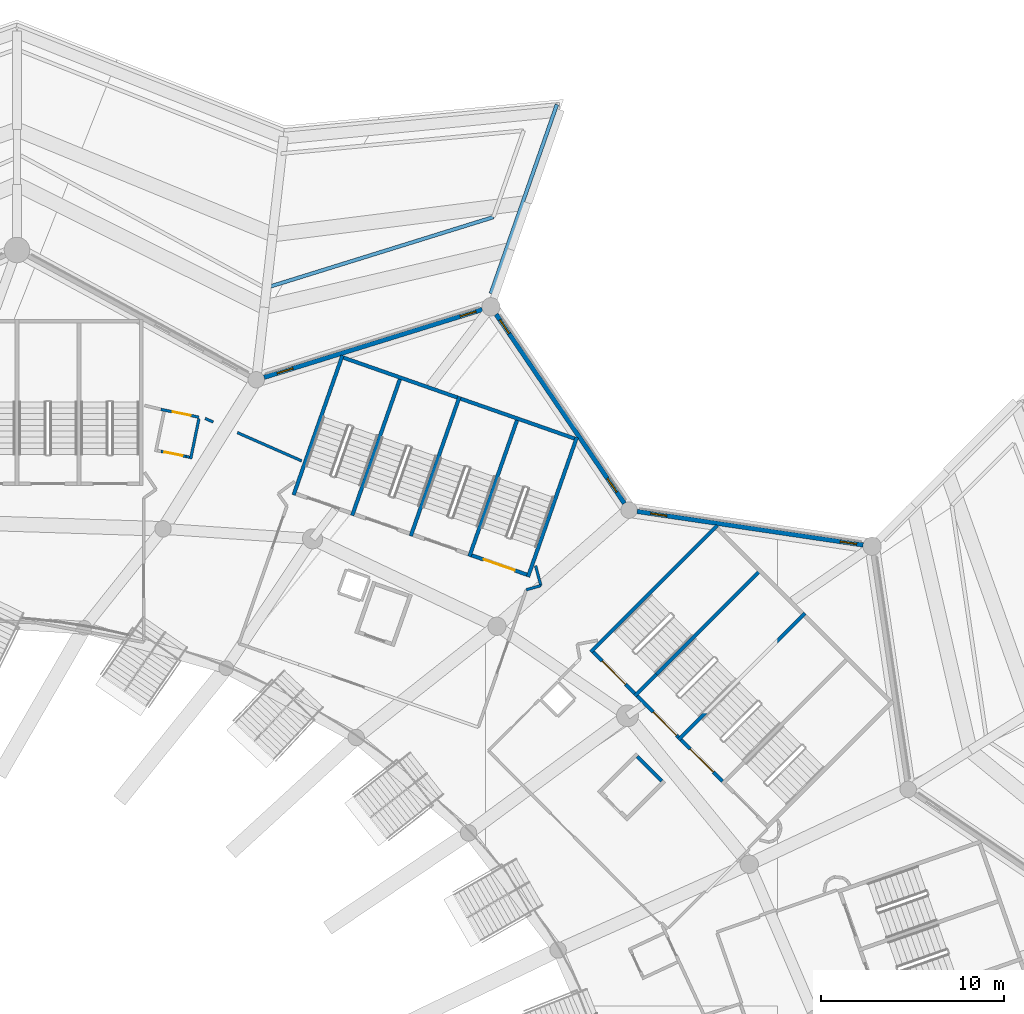
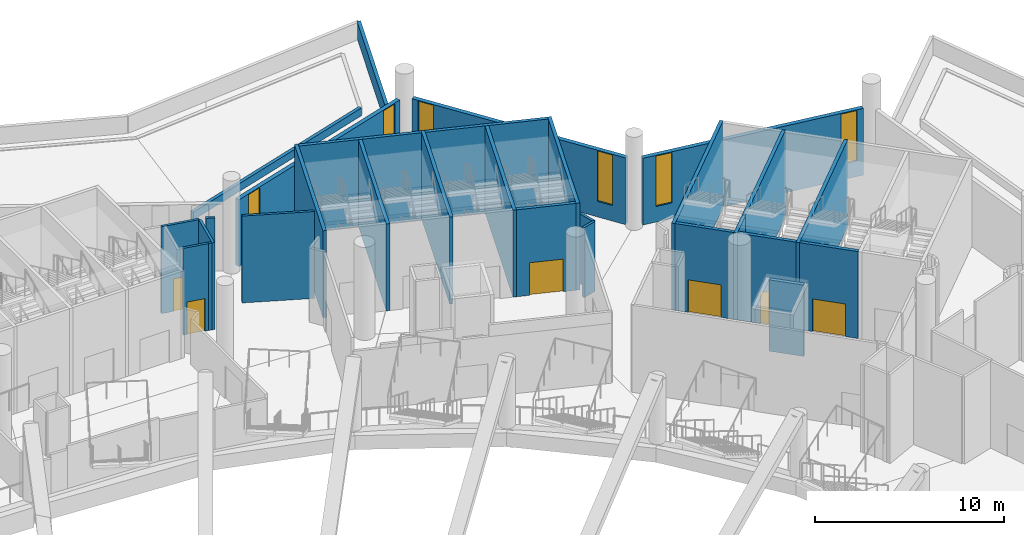
# One storey, part 77 of 173: 29 walls, 6 doors, 6 windows, 12 openings.
"""IFC4 building model written with IfcOpenShell, lengths in metres."""

from ifc_helpers import new_model, si_unit, direction, frame, frame_2d, origin, place, context, subcontext, project, spatial, rectangle, extrude, material, layer, layer_set, type_object, element, fill, save


model = new_model("IFC4")

# Units and contexts
model_context = context("Model", 3, precision=1e-05, world=origin(), true_north=direction((0.0, 1.0)))
body_context = subcontext(model_context, "Body", "Model", "MODEL_VIEW")
ifc_project = project(units=[si_unit("LENGTHUNIT", "METRE"), si_unit("AREAUNIT", "SQUARE_METRE"), si_unit("VOLUMEUNIT", "CUBIC_METRE"), si_unit("PLANEANGLEUNIT", "RADIAN"), si_unit("MASSUNIT", "GRAM", prefix="KILO")], contexts=[model_context])

# Site, building, storey
site_placement = place(None, origin())
site = spatial("IfcSite", under=ifc_project, at=site_placement, CompositionType="ELEMENT")
building_placement = place(site_placement, origin())
building = spatial("IfcBuilding", under=site, at=building_placement, Name="Meseta Stadium", CompositionType="ELEMENT")
storey_placement = place(building_placement, frame((0.0, 0.0, 18.0)))
storey = spatial("IfcBuildingStorey", under=building, at=storey_placement, Name="L03", CompositionType="ELEMENT", Elevation=18.0)

# Walls
ifc_material_1 = material(Name="Concrete C40/50", Category="concrete")
ifc_layer_1 = layer(ifc_material_1, 0.199951171875)
ifc_layer_set_1 = layer_set([ifc_layer_1], Name="Core divider wall 200")
wall_type_1 = type_object("IfcWallType", Name="Core divider wall 200", PredefinedType="SHEAR", material=ifc_layer_set_1)
wall_1_placement = place(storey_placement, frame((79.092529296875, 87.90087890625, 0.0), z_axis=(0.0, 0.0, 1.0), x_axis=(-0.707106781187, -0.707106781187, 0.0)))
element("IfcWall", 1, at=wall_1_placement, inside=storey, type_object=wall_type_1, Name="Core 07 L03 stair B divider wall", PredefinedType="SHEAR", context=body_context, shape_type="SweptSolid", body=[
    extrude(rectangle(XDim=8.099853515625, YDim=0.199951171875, at=frame_2d((4.0498046875, 0.0))), origin(), (0.0, 0.0, 1.0), 5.60009765625),
])
wall_2_placement = place(storey_placement, frame((73.364990234375, 82.17333984375, 0.0), z_axis=(0.0, 0.0, 1.0), x_axis=(-0.707034968179, -0.707178586901, 0.0)))
element("IfcWall", 2, at=wall_2_placement, inside=storey, type_object=wall_type_1, Name="Core 07 L03 stair B divider wall", PredefinedType="SHEAR", context=body_context, shape_type="SweptSolid", body=[
    extrude(rectangle(XDim=1.699951171875, YDim=0.199951171875, at=frame_2d((0.85009765625, 0.0))), origin(), (0.0, 0.0, 1.0), 5.60009765625),
])
for number, where, z_axis, x_axis, name in (
    (3, (65.789306640625, 96.260009765625, 0.0), (0.0, 0.0, 1.0), (-0.330280610426, -0.943882788474, 0.0), "Core 08 L03 stair A divider wall"),
    (4, (59.370849609375, 98.505859375, 0.0), (0.0, 0.0, 1.0), (-0.330280610426, -0.943882788474, 0.0), "Core 08 L03 stair B divider wall"),
):
    element("IfcWall", number, at=place(storey_placement, frame(where, z_axis=z_axis, x_axis=x_axis)), inside=storey, type_object=wall_type_1, Name=name, PredefinedType="SHEAR", context=body_context, shape_type="SweptSolid", body=[
        extrude(rectangle(XDim=8.10009765625, YDim=0.199951171875, at=frame_2d((4.050048828125, 0.0))), origin(), (0.0, 0.0, 1.0), 5.60009765625),
    ])
ifc_material_2 = material(Name="Concrete C40/50", Category="concrete")
ifc_layer_2 = layer(ifc_material_2, 0.199951171875)
ifc_layer_set_2 = layer_set([ifc_layer_2], Name="Core shaft wall 200")
wall_type_2 = type_object("IfcWallType", Name="Core shaft wall 200", PredefinedType="SHEAR", material=ifc_layer_set_2)
for number, where, z_axis, x_axis, name in (
    (5, (81.496826171875, 85.496826171875, 0.0), (0.0, 0.0, 1.0), (-0.707106781187, -0.707106781187, 0.0), "Core 07 L03 stair wall shared"),
    (6, (76.6884765625, 90.30517578125, 0.0), (0.0, 0.0, 1.0), (-0.707106781187, -0.707106781187, 0.0), "Core 07 L03 stair wall B-side"),
):
    element("IfcWall", number, at=place(storey_placement, frame(where, z_axis=z_axis, x_axis=x_axis)), inside=storey, type_object=wall_type_2, Name=name, PredefinedType="SHEAR", context=body_context, shape_type="SweptSolid", body=[
        extrude(rectangle(XDim=9.800048828125, YDim=0.199951171875, at=frame_2d((4.89990234375, 0.0))), origin(), (0.0, 0.0, 1.0), 5.60009765625),
    ])

# Wall, opening, door
wall_3_placement = place(storey_placement, frame((76.97119140625, 76.304443359375, 0.0), z_axis=(0.0, 0.0, 1.0), x_axis=(-0.707106781187, 0.707106781187, 0.0)))
wall_3 = element("IfcWall", 7, at=wall_3_placement, inside=storey, type_object=wall_type_2, Name="Core 07 L03 stair A2 inner end wall", PredefinedType="SHEAR", context=body_context, shape_type="SweptSolid", body=[
    extrude(rectangle(XDim=3.199951171875, YDim=0.199951171875, at=frame_2d((1.60009765625, 0.0))), origin(), (0.0, 0.0, 1.0), 5.60009765625),
])
opening_1_placement = place(wall_3_placement, frame((0.699951171875, 0.0, 0.0)))
opening_1 = element("IfcOpeningElement", 8, at=opening_1_placement, cuts=wall_3, Name="Opening D1441", PredefinedType="OPENING", context=body_context, shape_type="SweptSolid", body=[
    extrude(rectangle(XDim=1.800048828125, YDim=2.10009765625, at=frame_2d((0.89990234375, 1.050048828125))), frame((0.0, 0.10986328125, 0.0), z_axis=(0.0, -1.0, 0.0), x_axis=(1.0, 0.0, 0.0)), (0.0, 0.0, 1.0), 0.219970703125),
])
ifc_material_3 = material(Name="Steel", Category="steel")
door_type_1 = type_object("IfcDoorType", Name="Stair door 1800x2100", OperationType="DOUBLE_DOOR_SINGLE_SWING", PredefinedType="DOOR", material=ifc_material_3)
door_1_placement = place(opening_1_placement, origin())
door_1 = element("IfcDoor", 9, at=door_1_placement, inside=storey, type_object=door_type_1, Name="Stair A2 door 07 L03", OperationType="DOUBLE_DOOR_SINGLE_SWING", OverallHeight=2.10009765625, OverallWidth=1.800048828125, PredefinedType="DOOR", context=body_context, shape_type="SweptSolid", body=[
    extrude(rectangle(XDim=1.800048828125, YDim=2.10009765625, at=frame_2d((0.89990234375, 1.050048828125))), frame((0.0, 0.02490234375, 0.0), z_axis=(0.0, -1.0, 0.0), x_axis=(1.0, 0.0, 0.0)), (0.0, 0.0, 1.0), 0.050048828125),
])
fill(opening_1, door_1)

wall_4_placement = place(storey_placement, frame((74.567138671875, 78.70849609375, 0.0), z_axis=(0.0, 0.0, 1.0), x_axis=(-0.707106781187, 0.707106781187, 0.0)))
wall_4 = element("IfcWall", 10, at=wall_4_placement, inside=storey, type_object=wall_type_2, Name="Core 07 L03 stair B1 inner end wall", PredefinedType="SHEAR", context=body_context, shape_type="SweptSolid", body=[
    extrude(rectangle(XDim=3.199951171875, YDim=0.199951171875, at=frame_2d((1.60009765625, 0.0))), origin(), (0.0, 0.0, 1.0), 5.60009765625),
])
opening_2_placement = place(wall_4_placement, frame((0.14990234375, 0.0, 0.0)))
opening_2 = element("IfcOpeningElement", 11, at=opening_2_placement, cuts=wall_4, Name="Opening D1437", PredefinedType="OPENING", context=body_context, shape_type="SweptSolid", body=[
    extrude(rectangle(XDim=1.800048828125, YDim=2.10009765625, at=frame_2d((0.89990234375, 1.050048828125))), frame((0.0, 0.10986328125, 0.0), z_axis=(0.0, -1.0, 0.0), x_axis=(1.0, 0.0, 0.0)), (0.0, 0.0, 1.0), 0.219970703125),
])
door_2_placement = place(opening_2_placement, origin())
door_2 = element("IfcDoor", 12, at=door_2_placement, inside=storey, type_object=door_type_1, Name="Stair B1 door 07 L03", OperationType="DOUBLE_DOOR_SINGLE_SWING", OverallHeight=2.10009765625, OverallWidth=1.800048828125, PredefinedType="DOOR", context=body_context, shape_type="SweptSolid", body=[
    extrude(rectangle(XDim=1.800048828125, YDim=2.10009765625, at=frame_2d((0.89990234375, 1.050048828125))), frame((0.0, 0.02490234375, 0.0), z_axis=(0.0, -1.0, 0.0), x_axis=(1.0, 0.0, 0.0)), (0.0, 0.0, 1.0), 0.050048828125),
])
fill(opening_2, door_2)

wall_5_placement = place(storey_placement, frame((72.1630859375, 81.11279296875, 0.0), z_axis=(0.0, 0.0, 1.0), x_axis=(-0.707144925854, 0.707068634461, 0.0)))
wall_5 = element("IfcWall", 13, at=wall_5_placement, inside=storey, type_object=wall_type_2, Name="Core 07 L03 stair B2 inner end wall", PredefinedType="SHEAR", context=body_context, shape_type="SweptSolid", body=[
    extrude(rectangle(XDim=3.2001953125, YDim=0.199951171875, at=frame_2d((1.60009765625, 0.0))), origin(), (0.0, 0.0, 1.0), 5.60009765625),
])
opening_3_placement = place(wall_5_placement, frame((0.699951171875, 0.0, 0.0)))
opening_3 = element("IfcOpeningElement", 14, at=opening_3_placement, cuts=wall_5, Name="Opening D1431", PredefinedType="OPENING", context=body_context, shape_type="SweptSolid", body=[
    extrude(rectangle(XDim=1.800048828125, YDim=2.10009765625, at=frame_2d((0.89990234375, 1.050048828125))), frame((0.0, 0.10986328125, 0.0), z_axis=(0.0, -1.0, 0.0), x_axis=(1.0, 0.0, 0.0)), (0.0, 0.0, 1.0), 0.219970703125),
])
door_3_placement = place(opening_3_placement, origin())
door_3 = element("IfcDoor", 15, at=door_3_placement, inside=storey, type_object=door_type_1, Name="Stair B2 door 07 L03", OperationType="DOUBLE_DOOR_SINGLE_SWING", OverallHeight=2.10009765625, OverallWidth=1.800048828125, PredefinedType="DOOR", context=body_context, shape_type="SweptSolid", body=[
    extrude(rectangle(XDim=1.800048828125, YDim=2.10009765625, at=frame_2d((0.89990234375, 1.050048828125))), frame((0.0, 0.02490234375, 0.0), z_axis=(0.0, -1.0, 0.0), x_axis=(1.0, 0.0, 0.0)), (0.0, 0.0, 1.0), 0.050048828125),
])
fill(opening_3, door_3)

# Walls
wall_6_placement = place(storey_placement, frame((73.655517578125, 76.311767578125, 0.0), z_axis=(0.0, 0.0, 1.0), x_axis=(-0.707106781187, 0.707106781187, 0.0)))
element("IfcWall", 16, at=wall_6_placement, inside=storey, type_object=wall_type_2, Name="Core 07 L03 lift shaft back wall", PredefinedType="SHEAR", context=body_context, shape_type="SweptSolid", body=[
    extrude(rectangle(XDim=1.900390625, YDim=0.199951171875, at=frame_2d((0.9501953125, 0.0))), origin(), (0.0, 0.0, 1.0), 4.60009765625),
])
for number, where, z_axis, x_axis, name in (
    (17, (68.998291015625, 95.136962890625, 0.0), (0.0, 0.0, 1.0), (-0.330263153216, -0.943888896866, 0.0), "Core 08 L03 stair wall A-side"),
    (18, (62.580078125, 97.3828125, 0.0), (0.0, 0.0, 1.0), (-0.330290006891, -0.943879500438, 0.0), "Core 08 L03 stair wall shared"),
):
    element("IfcWall", number, at=place(storey_placement, frame(where, z_axis=z_axis, x_axis=x_axis)), inside=storey, type_object=wall_type_2, Name=name, PredefinedType="SHEAR", context=body_context, shape_type="SweptSolid", body=[
        extrude(rectangle(XDim=8.099853515625, YDim=0.199951171875, at=frame_2d((4.0498046875, 0.0))), origin(), (0.0, 0.0, 1.0), 5.60009765625),
    ])
wall_7_placement = place(storey_placement, frame((56.16162109375, 99.62890625, 0.0), z_axis=(0.0, 0.0, 1.0), x_axis=(-0.330280610426, -0.943882788474, 0.0)))
element("IfcWall", 19, at=wall_7_placement, inside=storey, type_object=wall_type_2, Name="Core 08 L03 stair wall B-side", PredefinedType="SHEAR", context=body_context, shape_type="SweptSolid", body=[
    extrude(rectangle(XDim=8.10009765625, YDim=0.199951171875, at=frame_2d((4.050048828125, 0.0))), origin(), (0.0, 0.0, 1.0), 5.60009765625),
])
for number, where, z_axis, x_axis, name in (
    (20, (68.87109375, 95.07568359375, 0.0), (0.0, 0.0, 1.0), (-0.943880844925, 0.330286164688, 0.0), "Core 08 L03 stair A outer end wall"),
    (21, (62.45263671875, 97.321533203125, 0.0), (0.0, 0.0, 1.0), (-0.943880844925, 0.330286164688, 0.0), "Core 08 L03 stair B outer end wall"),
):
    element("IfcWall", number, at=place(storey_placement, frame(where, z_axis=z_axis, x_axis=x_axis)), inside=storey, type_object=wall_type_2, Name=name, PredefinedType="SHEAR", context=body_context, shape_type="SweptSolid", body=[
        extrude(rectangle(XDim=6.60009765625, YDim=0.199951171875, at=frame_2d((3.300048828125, 0.0))), origin(), (0.0, 0.0, 1.0), 5.60009765625),
    ])

# Wall, opening, door
wall_8_placement = place(storey_placement, frame((66.26171875, 87.618896484375, 0.0), z_axis=(0.0, 0.0, 1.0), x_axis=(-0.943878576031, 0.330292648585, 0.0)))
wall_8 = element("IfcWall", 22, at=wall_8_placement, inside=storey, type_object=wall_type_2, Name="Core 08 L03 stair A1 inner end wall", PredefinedType="SHEAR", context=body_context, shape_type="SweptSolid", body=[
    extrude(rectangle(XDim=3.199951171875, YDim=0.199951171875, at=frame_2d((1.60009765625, 0.0))), origin(), (0.0, 0.0, 1.0), 5.60009765625),
])
opening_4_placement = place(wall_8_placement, frame((0.699951171875, 0.0, 0.0)))
opening_4 = element("IfcOpeningElement", 23, at=opening_4_placement, cuts=wall_8, Name="Opening D1425", PredefinedType="OPENING", context=body_context, shape_type="SweptSolid", body=[
    extrude(rectangle(XDim=1.800048828125, YDim=2.10009765625, at=frame_2d((0.89990234375, 1.050048828125))), frame((0.0, 0.10986328125, 0.0), z_axis=(0.0, -1.0, 0.0), x_axis=(1.0, 0.0, 0.0)), (0.0, 0.0, 1.0), 0.219970703125),
])
door_4_placement = place(opening_4_placement, origin())
door_4 = element("IfcDoor", 24, at=door_4_placement, inside=storey, type_object=door_type_1, Name="Stair A1 door 08 L03", OperationType="DOUBLE_DOOR_SINGLE_SWING", OverallHeight=2.10009765625, OverallWidth=1.800048828125, PredefinedType="DOOR", context=body_context, shape_type="SweptSolid", body=[
    extrude(rectangle(XDim=1.800048828125, YDim=2.10009765625, at=frame_2d((0.89990234375, 1.050048828125))), frame((0.0, 0.02490234375, 0.0), z_axis=(0.0, -1.0, 0.0), x_axis=(1.0, 0.0, 0.0)), (0.0, 0.0, 1.0), 0.050048828125),
])
fill(opening_4, door_4)

# Walls
ifc_material_4 = material(Name="Masonry blockwork", Category="masonry")
ifc_layer_3 = layer(ifc_material_4, 0.14990234375)
ifc_layer_set_3 = layer_set([ifc_layer_3], Name="Partition 150")
wall_type_3 = type_object("IfcWallType", Name="Partition 150", PredefinedType="PARTITIONING", material=ifc_layer_set_3)
wall_9_placement = place(storey_placement, frame((53.927490234375, 93.849853515625, 0.0), z_axis=(0.0, 0.0, 1.0), x_axis=(-0.915527241614, 0.402255975546, 0.0)))
element("IfcWall", 25, at=wall_9_placement, inside=storey, type_object=wall_type_3, Name="Partition L03 L03-cell07-1-0", PredefinedType="PARTITIONING", context=body_context, shape_type="SweptSolid", body=[
    extrude(rectangle(XDim=3.8486328125, YDim=0.14990234375, at=frame_2d((1.92431640625, 0.0))), origin(), (0.0, 0.0, 1.0), 5.60009765625),
])
wall_10_placement = place(storey_placement, frame((49.082763671875, 95.978515625, 0.0), z_axis=(0.0, 0.0, 1.0), x_axis=(-0.915644030191, 0.401990062035, 0.0)))
element("IfcWall", 26, at=wall_10_placement, inside=storey, type_object=wall_type_3, Name="Partition L03 L03-cell07-1-0", PredefinedType="PARTITIONING", context=body_context, shape_type="SweptSolid", body=[
    extrude(rectangle(XDim=0.48095703125, YDim=0.14990234375, at=frame_2d((0.240478515625, 0.0))), origin(), (0.0, 0.0, 1.0), 5.60009765625),
])

# Wall, opening, door
wall_11_placement = place(storey_placement, frame((48.29150390625, 96.244140625, 0.0), z_axis=(0.0, 0.0, 1.0), x_axis=(-0.979467737093, 0.201600972203, 0.0)))
wall_11 = element("IfcWall", 27, at=wall_11_placement, inside=storey, type_object=wall_type_3, Name="Partition L03 L03-cell07-1-0", PredefinedType="PARTITIONING", context=body_context, shape_type="SweptSolid", body=[
    extrude(rectangle(XDim=2.12158203125, YDim=0.14990234375, at=frame_2d((1.060791015625, 0.0))), origin(), (0.0, 0.0, 1.0), 5.60009765625),
])
opening_5_placement = place(wall_11_placement, frame((0.449951171875, 0.0, 0.0)))
opening_5 = element("IfcOpeningElement", 28, at=opening_5_placement, cuts=wall_11, Name="Opening D1411", PredefinedType="OPENING", context=body_context, shape_type="SweptSolid", body=[
    extrude(rectangle(XDim=1.0, YDim=2.10009765625, at=frame_2d((0.5, 1.050048828125))), frame((0.0, 0.0849609375, 0.0), z_axis=(0.0, -1.0, 0.0), x_axis=(1.0, 0.0, 0.0)), (0.0, 0.0, 1.0), 0.169921875),
])
ifc_material_5 = material(Name="Steel", Category="steel")
door_type_2 = type_object("IfcDoorType", Name="Fire door 1000x2100 EI2 60", OperationType="NOTDEFINED", PredefinedType="DOOR", material=ifc_material_5)
door_5_placement = place(opening_5_placement, origin())
door_5 = element("IfcDoor", 29, at=door_5_placement, inside=storey, type_object=door_type_2, Name="Room door L03 L03-cell07-1-0", OperationType="SINGLE_SWING_LEFT", OverallHeight=2.10009765625, OverallWidth=1.0, PredefinedType="DOOR", context=body_context, shape_type="SweptSolid", body=[
    extrude(rectangle(XDim=1.0, YDim=2.10009765625, at=frame_2d((0.5, 1.050048828125))), frame((0.0, 0.02490234375, 0.0), z_axis=(0.0, -1.0, 0.0), x_axis=(1.0, 0.0, 0.0)), (0.0, 0.0, 1.0), 0.050048828125),
])
fill(opening_5, door_5)

# Walls
wall_12_placement = place(storey_placement, frame((66.231689453125, 86.791748046875, 0.0), z_axis=(0.0, 0.0, 1.0), x_axis=(0.962010898997, 0.273011044119, 0.0)))
element("IfcWall", 30, at=wall_12_placement, inside=storey, type_object=wall_type_3, Name="Stair vestibule wall L03 core 08", PredefinedType="PARTITIONING", context=body_context, shape_type="SweptSolid", body=[
    extrude(rectangle(XDim=0.829833984375, YDim=0.14990234375, at=frame_2d((0.4150390625, 0.0))), origin(), (0.0, 0.0, 1.0), 4.5),
])
wall_13_placement = place(storey_placement, frame((67.030029296875, 87.018310546875, 0.0), z_axis=(0.0, 0.0, 1.0), x_axis=(-0.257379704982, 0.966310347385, 0.0)))
element("IfcWall", 31, at=wall_13_placement, inside=storey, type_object=wall_type_3, Name="Stair vestibule wall L03 core 08", PredefinedType="PARTITIONING", context=body_context, shape_type="SweptSolid", body=[
    extrude(rectangle(XDim=1.1279296875, YDim=0.14990234375, at=frame_2d((0.56396484375, 0.0))), origin(), (0.0, 0.0, 1.0), 4.5),
])
wall_14_placement = place(storey_placement, frame((48.30078125, 96.16552734375, 0.0), z_axis=(0.0, 0.0, 1.0), x_axis=(-0.201726403033, -0.979441911662, 0.0)))
element("IfcWall", 32, at=wall_14_placement, inside=storey, type_object=wall_type_3, Name="Partition L03 L03-cell07-1-0 vestibule", PredefinedType="PARTITIONING", context=body_context, shape_type="SweptSolid", body=[
    extrude(rectangle(XDim=2.249755859375, YDim=0.14990234375, at=frame_2d((1.125, 0.0))), origin(), (0.0, 0.0, 1.0), 5.60009765625),
])
wall_15_placement = place(storey_placement, frame((47.788818359375, 94.05029296875, 0.0), z_axis=(0.0, 0.0, 1.0), x_axis=(-0.979293780286, 0.202444293309, 0.0)))
element("IfcWall", 33, at=wall_15_placement, inside=storey, type_object=wall_type_3, Name="Partition L03 L03-cell07-1-0 vestibule", PredefinedType="PARTITIONING", context=body_context, shape_type="SweptSolid", body=[
    extrude(rectangle(XDim=0.2001953125, YDim=0.14990234375, at=frame_2d((0.10009765625, 0.0))), origin(), (0.0, 0.0, 1.0), 5.60009765625),
])

# Wall, opening, door
wall_16_placement = place(storey_placement, frame((47.5927734375, 94.0908203125, 0.0), z_axis=(0.0, 0.0, 1.0), x_axis=(-0.979465147649, 0.201613552472, 0.0)))
wall_16 = element("IfcWall", 34, at=wall_16_placement, inside=storey, type_object=wall_type_3, Name="Partition L03 L03-cell07-1-0 vestibule", PredefinedType="PARTITIONING", context=body_context, shape_type="SweptSolid", body=[
    extrude(rectangle(XDim=1.39990234375, YDim=0.14990234375, at=frame_2d((0.699951171875, 0.0))), origin(), (0.0, 0.0, 1.0), 5.60009765625),
])
opening_6_placement = place(wall_16_placement, frame((0.199951171875, 0.0, 0.0)))
opening_6 = element("IfcOpeningElement", 35, at=opening_6_placement, cuts=wall_16, Name="Opening D1410", PredefinedType="OPENING", context=body_context, shape_type="SweptSolid", body=[
    extrude(rectangle(XDim=1.0, YDim=2.10009765625, at=frame_2d((0.5, 1.050048828125))), frame((0.0, 0.0849609375, 0.0), z_axis=(0.0, -1.0, 0.0), x_axis=(1.0, 0.0, 0.0)), (0.0, 0.0, 1.0), 0.169921875),
])
door_6_placement = place(opening_6_placement, origin())
door_6 = element("IfcDoor", 36, at=door_6_placement, inside=storey, type_object=door_type_2, Name="Vestibule door L03 L03-cell07-1-0", OperationType="SINGLE_SWING_RIGHT", OverallHeight=2.10009765625, OverallWidth=1.0, PredefinedType="DOOR", context=body_context, shape_type="SweptSolid", body=[
    extrude(rectangle(XDim=1.0, YDim=2.10009765625, at=frame_2d((0.5, 1.050048828125))), frame((0.0, 0.02490234375, 0.0), z_axis=(0.0, -1.0, 0.0), x_axis=(1.0, 0.0, 0.0)), (0.0, 0.0, 1.0), 0.050048828125),
])
fill(opening_6, door_6)

# Wall
ifc_material_6 = material(Name="Precast concrete C40/50", Category="concrete")
ifc_layer_4 = layer(ifc_material_6, 0.199951171875)
ifc_layer_set_4 = layer_set([ifc_layer_4], Name="Planter kerb 200")
wall_type_4 = type_object("IfcWallType", Name="Planter kerb 200", PredefinedType="USERDEFINED", material=ifc_layer_set_4)
wall_17_placement = place(storey_placement, frame((64.42626953125, 107.20068359375, 0.0), z_axis=(0.0, 0.0, 1.0), x_axis=(-0.95491792538, -0.296869930759, 0.0)))
element("IfcWall", 37, at=wall_17_placement, inside=storey, type_object=wall_type_4, Name="Planter kerb 2.1.3", ObjectType="PLANTER", PredefinedType="USERDEFINED", context=body_context, shape_type="SweptSolid", body=[
    extrude(rectangle(XDim=13.08251953125, YDim=0.199951171875, at=frame_2d((6.541259765625, 0.0))), origin(), (0.0, 0.0, 1.0), 0.5),
])

# Wall, openings, windows
ifc_material_7 = material(Name="White precast concrete C40/50", Category="concrete")
ifc_layer_5 = layer(ifc_material_7, 0.25)
ifc_layer_set_5 = layer_set([ifc_layer_5], Name="Pleated panel wall 250")
wall_type_5 = type_object("IfcWallType", Name="Pleated panel wall 250", PredefinedType="SOLIDWALL", material=ifc_layer_set_5)
wall_18_placement = place(storey_placement, frame((72.30126953125, 91.084716796875, 0.0), z_axis=(0.0, 0.0, 1.0), x_axis=(0.989159318747, -0.14684632149, 0.0)))
wall_18 = element("IfcWall", 38, at=wall_18_placement, inside=storey, type_object=wall_type_5, Name="Pleated facade panel L03 F12", PredefinedType="SOLIDWALL", context=body_context, shape_type="SweptSolid", body=[
    extrude(rectangle(XDim=12.51416015625, YDim=0.25, at=frame_2d((6.257080078125, 0.0))), origin(), (0.0, 0.0, 1.0), 4.300048828125),
])
opening_7_placement = place(wall_18_placement, frame((0.75048828125, 0.0, 1.0)))
opening_7 = element("IfcOpeningElement", 39, at=opening_7_placement, cuts=wall_18, Name="Opening W140", PredefinedType="OPENING", context=body_context, shape_type="SweptSolid", body=[
    extrude(rectangle(XDim=0.89990234375, YDim=3.25, at=frame_2d((0.449951171875, 1.625))), frame((0.0, 0.135009765625, 0.0), z_axis=(0.0, -1.0, 0.0), x_axis=(1.0, 0.0, 0.0)), (0.0, 0.0, 1.0), 0.27001953125),
])
opening_8_placement = place(wall_18_placement, frame((11.25048828125, 0.0, 1.0)))
opening_8 = element("IfcOpeningElement", 40, at=opening_8_placement, cuts=wall_18, Name="Opening W144", PredefinedType="OPENING", context=body_context, shape_type="SweptSolid", body=[
    extrude(rectangle(XDim=0.89990234375, YDim=3.25, at=frame_2d((0.449951171875, 1.625))), frame((0.0, 0.135009765625, 0.0), z_axis=(0.0, -1.0, 0.0), x_axis=(1.0, 0.0, 0.0)), (0.0, 0.0, 1.0), 0.27001953125),
])
ifc_material_8 = material(Name="Aluminium", Category="aluminium")
window_type = type_object("IfcWindowType", Name="Slot window 900x3250", PartitioningType="SINGLE_PANEL", PredefinedType="WINDOW", material=ifc_material_8)
window_1_placement = place(opening_7_placement, origin())
window_1 = element("IfcWindow", 41, at=window_1_placement, inside=storey, type_object=window_type, Name="Slot window L03 F12.1", OverallHeight=3.25, OverallWidth=0.89990234375, PartitioningType="SINGLE_PANEL", PredefinedType="WINDOW", context=body_context, shape_type="SweptSolid", body=[
    extrude(rectangle(XDim=0.89990234375, YDim=3.25, at=frame_2d((0.449951171875, 1.625))), frame((0.0, 0.030029296875, 0.0), z_axis=(0.0, -1.0, 0.0), x_axis=(1.0, 0.0, 0.0)), (0.0, 0.0, 1.0), 0.06005859375),
])
fill(opening_7, window_1)
window_2_placement = place(opening_8_placement, origin())
window_2 = element("IfcWindow", 42, at=window_2_placement, inside=storey, type_object=window_type, Name="Slot window L03 F12.6", OverallHeight=3.25, OverallWidth=0.89990234375, PartitioningType="SINGLE_PANEL", PredefinedType="WINDOW", context=body_context, shape_type="SweptSolid", body=[
    extrude(rectangle(XDim=0.89990234375, YDim=3.25, at=frame_2d((0.449951171875, 1.625))), frame((0.0, 0.030029296875, 0.0), z_axis=(0.0, -1.0, 0.0), x_axis=(1.0, 0.0, 0.0)), (0.0, 0.0, 1.0), 0.06005859375),
])
fill(opening_8, window_2)

wall_19_placement = place(storey_placement, frame((64.578125, 101.87744140625, 0.0), z_axis=(0.0, 0.0, 1.0), x_axis=(0.561493784496, -0.827480954447, 0.0)))
wall_19 = element("IfcWall", 43, at=wall_19_placement, inside=storey, type_object=wall_type_5, Name="Pleated facade panel L03 F13", PredefinedType="SOLIDWALL", context=body_context, shape_type="SweptSolid", body=[
    extrude(rectangle(XDim=12.51318359375, YDim=0.25, at=frame_2d((6.256591796875, 0.0))), origin(), (0.0, 0.0, 1.0), 4.300048828125),
])
opening_9_placement = place(wall_19_placement, frame((10.863037109375, 0.0, 1.0)))
opening_9 = element("IfcOpeningElement", 44, at=opening_9_placement, cuts=wall_19, Name="Opening W139", PredefinedType="OPENING", context=body_context, shape_type="SweptSolid", body=[
    extrude(rectangle(XDim=0.89990234375, YDim=3.25, at=frame_2d((0.449951171875, 1.625))), frame((0.0, 0.135009765625, 0.0), z_axis=(0.0, -1.0, 0.0), x_axis=(1.0, 0.0, 0.0)), (0.0, 0.0, 1.0), 0.27001953125),
])
opening_10_placement = place(wall_19_placement, frame((0.363037109375, 0.0, 1.0)))
opening_10 = element("IfcOpeningElement", 45, at=opening_10_placement, cuts=wall_19, Name="Opening W138", PredefinedType="OPENING", context=body_context, shape_type="SweptSolid", body=[
    extrude(rectangle(XDim=0.89990234375, YDim=3.25, at=frame_2d((0.449951171875, 1.625))), frame((0.0, 0.135009765625, 0.0), z_axis=(0.0, -1.0, 0.0), x_axis=(1.0, 0.0, 0.0)), (0.0, 0.0, 1.0), 0.27001953125),
])
window_3_placement = place(opening_9_placement, origin())
window_3 = element("IfcWindow", 46, at=window_3_placement, inside=storey, type_object=window_type, Name="Slot window L03 F13.1", OverallHeight=3.25, OverallWidth=0.89990234375, PartitioningType="SINGLE_PANEL", PredefinedType="WINDOW", context=body_context, shape_type="SweptSolid", body=[
    extrude(rectangle(XDim=0.89990234375, YDim=3.25, at=frame_2d((0.449951171875, 1.625))), frame((0.0, 0.030029296875, 0.0), z_axis=(0.0, -1.0, 0.0), x_axis=(1.0, 0.0, 0.0)), (0.0, 0.0, 1.0), 0.06005859375),
])
fill(opening_9, window_3)
window_4_placement = place(opening_10_placement, origin())
window_4 = element("IfcWindow", 47, at=window_4_placement, inside=storey, type_object=window_type, Name="Slot window L03 F13.6", OverallHeight=3.25, OverallWidth=0.89990234375, PartitioningType="SINGLE_PANEL", PredefinedType="WINDOW", context=body_context, shape_type="SweptSolid", body=[
    extrude(rectangle(XDim=0.89990234375, YDim=3.25, at=frame_2d((0.449951171875, 1.625))), frame((0.0, 0.030029296875, 0.0), z_axis=(0.0, -1.0, 0.0), x_axis=(1.0, 0.0, 0.0)), (0.0, 0.0, 1.0), 0.06005859375),
])
fill(opening_10, window_4)

wall_20_placement = place(storey_placement, frame((51.87109375, 98.427978515625, 0.0), z_axis=(0.0, 0.0, 1.0), x_axis=(0.954916036354, 0.29687600697, 0.0)))
wall_20 = element("IfcWall", 48, at=wall_20_placement, inside=storey, type_object=wall_type_5, Name="Pleated facade panel L03 F14", PredefinedType="SOLIDWALL", context=body_context, shape_type="SweptSolid", body=[
    extrude(rectangle(XDim=12.51318359375, YDim=0.25, at=frame_2d((6.256591796875, 0.0))), origin(), (0.0, 0.0, 1.0), 4.300048828125),
])
opening_11_placement = place(wall_20_placement, frame((0.750244140625, 0.0, 1.0)))
opening_11 = element("IfcOpeningElement", 49, at=opening_11_placement, cuts=wall_20, Name="Opening W135", PredefinedType="OPENING", context=body_context, shape_type="SweptSolid", body=[
    extrude(rectangle(XDim=0.89990234375, YDim=3.25, at=frame_2d((0.449951171875, 1.625))), frame((0.0, 0.135009765625, 0.0), z_axis=(0.0, -1.0, 0.0), x_axis=(1.0, 0.0, 0.0)), (0.0, 0.0, 1.0), 0.27001953125),
])
opening_12_placement = place(wall_20_placement, frame((11.250244140625, 0.0, 1.0)))
opening_12 = element("IfcOpeningElement", 50, at=opening_12_placement, cuts=wall_20, Name="Opening W137", PredefinedType="OPENING", context=body_context, shape_type="SweptSolid", body=[
    extrude(rectangle(XDim=0.89990234375, YDim=3.25, at=frame_2d((0.449951171875, 1.625))), frame((0.0, 0.135009765625, 0.0), z_axis=(0.0, -1.0, 0.0), x_axis=(1.0, 0.0, 0.0)), (0.0, 0.0, 1.0), 0.27001953125),
])
window_5_placement = place(opening_11_placement, origin())
window_5 = element("IfcWindow", 51, at=window_5_placement, inside=storey, type_object=window_type, Name="Slot window L03 F14.1", OverallHeight=3.25, OverallWidth=0.89990234375, PartitioningType="SINGLE_PANEL", PredefinedType="WINDOW", context=body_context, shape_type="SweptSolid", body=[
    extrude(rectangle(XDim=0.89990234375, YDim=3.25, at=frame_2d((0.449951171875, 1.625))), frame((0.0, 0.030029296875, 0.0), z_axis=(0.0, -1.0, 0.0), x_axis=(1.0, 0.0, 0.0)), (0.0, 0.0, 1.0), 0.06005859375),
])
fill(opening_11, window_5)
window_6_placement = place(opening_12_placement, origin())
window_6 = element("IfcWindow", 52, at=window_6_placement, inside=storey, type_object=window_type, Name="Slot window L03 F14.6", OverallHeight=3.25, OverallWidth=0.89990234375, PartitioningType="SINGLE_PANEL", PredefinedType="WINDOW", context=body_context, shape_type="SweptSolid", body=[
    extrude(rectangle(XDim=0.89990234375, YDim=3.25, at=frame_2d((0.449951171875, 1.625))), frame((0.0, 0.030029296875, 0.0), z_axis=(0.0, -1.0, 0.0), x_axis=(1.0, 0.0, 0.0)), (0.0, 0.0, 1.0), 0.06005859375),
])
fill(opening_12, window_6)

# Wall
ifc_material_9 = material(Name="Concrete C40/50", Category="concrete")
ifc_layer_6 = layer(ifc_material_9, 0.199951171875)
ifc_layer_set_6 = layer_set([ifc_layer_6], Name="Roof parapet 200")
wall_type_6 = type_object("IfcWallType", Name="Roof parapet 200", PredefinedType="PARAPET", material=ifc_layer_set_6)
wall_21_placement = place(storey_placement, frame((67.908447265625, 113.367431640625, 0.0), z_axis=(0.0, 0.0, 1.0), x_axis=(-0.330284944562, -0.943881271875, 0.0)))
element("IfcWall", 53, at=wall_21_placement, inside=storey, type_object=wall_type_6, Name="Roof parapet 2.10.1", PredefinedType="PARAPET", context=body_context, shape_type="SweptSolid", body=[
    extrude(rectangle(XDim=10.96142578125, YDim=0.199951171875, at=frame_2d((5.480712890625, 0.0))), origin(), (0.0, 0.0, 1.0), 1.10009765625),
])

save(model, "model.ifc")
